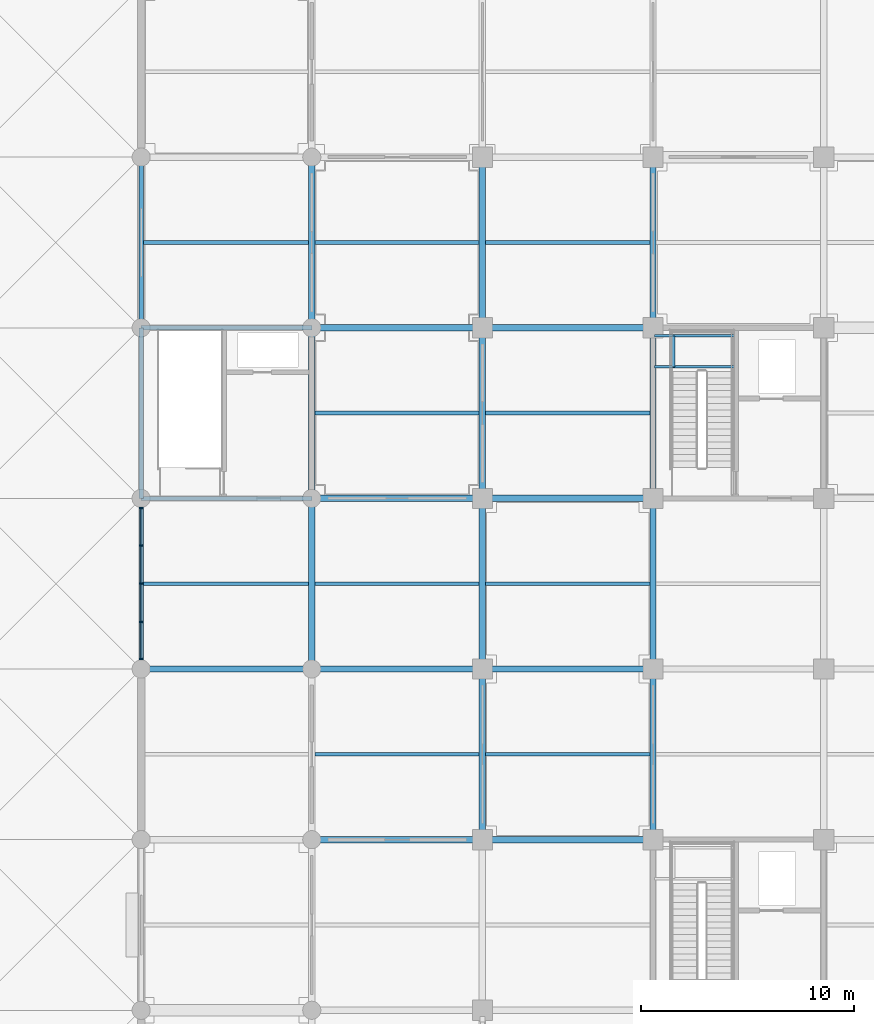
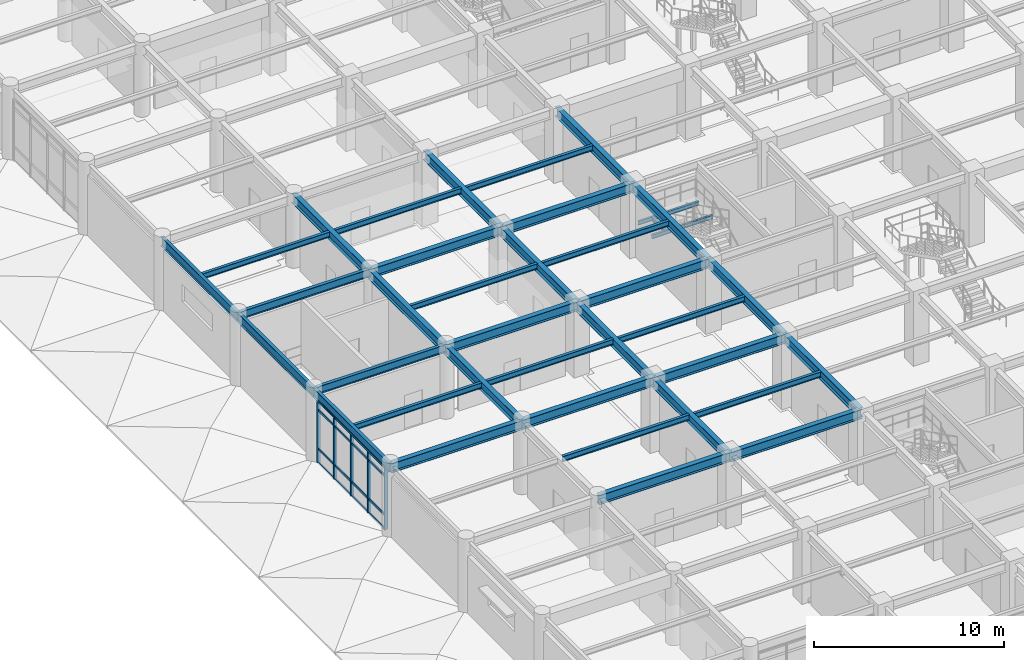
# One storey, part 15 of 109: 38 beams, 21 members, 1 element without a shape of its own.
"""IFC4 building model written with IfcOpenShell, lengths in metres."""

import ifcopenshell
import ifcopenshell.guid

model = None  # the IFC model being written
_history = None  # IfcOwnerHistory: only IFC2X3 demands one
_inside = {}  # id of a spatial element -> (the spatial element, [elements in it])
_under = {}  # id of a project, library or spatial element -> (it, [spatial elements below it])
_declared = {}  # id of a project -> (the project, [libraries it declares])
_typed = {}  # id of a type object -> (the type object, [elements of that type])
_made_of = {}  # id of a material, layer set ... -> (it, [elements and type objects made of it])


def new_model(schema):
    """Start an empty IFC model of exactly this schema.

    Asked for "IFC4X3", IfcOpenShell would pick the latest addendum, in which some entities
    have other attributes; the version numbers below select the first issue.
    IFC2X3 requires an IfcOwnerHistory on every rooted entity: one is made here for all.
    """
    global model, _history
    if schema == "IFC4X3":
        model = ifcopenshell.file(schema_version=(4, 3, 0, 0))
    else:
        model = ifcopenshell.file(schema=schema)
    _inside.clear()
    _under.clear()
    _declared.clear()
    _typed.clear()
    _made_of.clear()
    _history = None
    if model.schema == "IFC2X3":
        org = make("IfcOrganization", Name="unknown")
        user = make(
            "IfcPersonAndOrganization",
            ThePerson=make("IfcPerson", FamilyName="unknown"),
            TheOrganization=org,
        )
        app = make(
            "IfcApplication",
            ApplicationDeveloper=org,
            Version="unknown",
            ApplicationFullName="unknown",
            ApplicationIdentifier="unknown",
        )
        _history = make(
            "IfcOwnerHistory",
            OwningUser=user,
            OwningApplication=app,
            ChangeAction="ADDED",
            CreationDate=0,
        )
    return model


def make(cls, **values):
    """One entity of the class cls with the attributes given. An attribute that is None is left unset."""
    return model.create_entity(
        cls, **{name: value for name, value in values.items() if value is not None}
    )


def rooted(cls, **values):
    """An entity with a GlobalId (a new one), such as an element, a storey or a relation."""
    return make(cls, GlobalId=ifcopenshell.guid.new(), OwnerHistory=_history, **values)


def si_unit(unit_type, name, prefix=None):
    """IfcSIUnit, for example si_unit("LENGTHUNIT", "METRE", prefix="MILLI")."""
    return make("IfcSIUnit", UnitType=unit_type, Prefix=prefix, Name=name)


def assignment(units):
    """IfcUnitAssignment: the units of a project."""
    return None if units is None else make("IfcUnitAssignment", Units=units)


def point(xyz):
    """IfcCartesianPoint."""
    return None if xyz is None else make("IfcCartesianPoint", Coordinates=xyz)


def direction(xyz):
    """IfcDirection."""
    return None if xyz is None else make("IfcDirection", DirectionRatios=xyz)


def frame(location, z_axis=None, x_axis=None):
    """IfcAxis2Placement3D, a coordinate frame: its origin and axes. An axis left out is left unset."""
    return make(
        "IfcAxis2Placement3D",
        Location=point(location),
        Axis=direction(z_axis),
        RefDirection=direction(x_axis),
    )


def frame_2d(location, x_axis=None):
    """IfcAxis2Placement2D, a coordinate frame in the plane: its origin and x axis."""
    return make(
        "IfcAxis2Placement2D", Location=point(location), RefDirection=direction(x_axis)
    )


def origin():
    """The frame at (0, 0, 0) with its axes left unset."""
    return frame((0.0, 0.0, 0.0))


def origin_2d():
    """The frame at (0, 0) in the plane with its x axis left unset."""
    return frame_2d((0.0, 0.0))


def place(relative_to, where):
    """IfcLocalPlacement: puts the frame where relative to a parent placement (None: the world)."""
    return make(
        "IfcLocalPlacement", PlacementRelTo=relative_to, RelativePlacement=where
    )


def context(
    kind, dimensions, precision=None, world=None, true_north=None, identifier=None
):
    """IfcGeometricRepresentationContext, for example the 3D "Model" context."""
    return make(
        "IfcGeometricRepresentationContext",
        ContextIdentifier=identifier,
        ContextType=kind,
        CoordinateSpaceDimension=dimensions,
        Precision=precision,
        WorldCoordinateSystem=world,
        TrueNorth=true_north,
    )


def subcontext(parent, identifier, kind, view, scale=None):
    """IfcGeometricRepresentationSubContext, for example "Body" below "Model"."""
    return make(
        "IfcGeometricRepresentationSubContext",
        ContextIdentifier=identifier,
        ContextType=kind,
        ParentContext=parent,
        TargetScale=scale,
        TargetView=view,
    )


def project(units=None, contexts=None):
    """IfcProject with its units and contexts."""
    return rooted(
        "IfcProject",
        Name="project",
        RepresentationContexts=contexts,
        UnitsInContext=assignment(units),
    )


def spatial(cls, under=None, at=None, **own):
    """A site, building, storey or space (cls), placed at a placement, below another one or the project."""
    s = rooted(cls, ObjectPlacement=at, **own)
    if under is not None:
        _under.setdefault(under.id(), (under, []))[1].append(s)
    return s


def profile(cls, at=None, kind="AREA", **sizes):
    """A parametric profile (cls). Its sizes go by their IFC names, for example OverallWidth=200.0."""
    return make(cls, ProfileType=kind, Position=at, **sizes)


def rectangle(**sizes):
    """IfcRectangleProfileDef."""
    return profile("IfcRectangleProfileDef", **sizes)


def i_section(**sizes):
    """IfcIShapeProfileDef."""
    return profile("IfcIShapeProfileDef", **sizes)


def extrude(swept, where, along, depth):
    """IfcExtrudedAreaSolid: the profile swept, set in the frame where, extruded along a direction by depth."""
    return make(
        "IfcExtrudedAreaSolid",
        SweptArea=swept,
        Position=where,
        ExtrudedDirection=direction(along),
        Depth=depth,
    )


def shape(context_of_items, identifier, shape_type, items):
    """IfcShapeRepresentation: the items that make up one representation, for example the "Body"."""
    return make(
        "IfcShapeRepresentation",
        ContextOfItems=context_of_items,
        RepresentationIdentifier=identifier,
        RepresentationType=shape_type,
        Items=items,
    )


def material(Name=None, Category=None):
    """IfcMaterial."""
    return make("IfcMaterial", Name=Name, Category=Category)


def layer(
    of_material, thickness, ventilated=None, Name=None, Category=None, Priority=None
):
    """IfcMaterialLayer: one layer of a wall or slab, of a material (None: an air gap)."""
    return make(
        "IfcMaterialLayer",
        Material=of_material,
        LayerThickness=thickness,
        IsVentilated=ventilated,
        Name=Name,
        Category=Category,
        Priority=Priority,
    )


def layer_set(layers, Name=None):
    """IfcMaterialLayerSet."""
    return make("IfcMaterialLayerSet", MaterialLayers=layers, LayerSetName=Name)


def material_profile(
    of_material, cross_section, Name=None, Category=None, Priority=None
):
    """IfcMaterialProfile: a cross section and its material."""
    return make(
        "IfcMaterialProfile",
        Name=Name,
        Material=of_material,
        Profile=cross_section,
        Priority=Priority,
        Category=Category,
    )


def profile_set(profiles, Name=None, composite=None):
    """IfcMaterialProfileSet."""
    return make(
        "IfcMaterialProfileSet",
        Name=Name,
        MaterialProfiles=profiles,
        CompositeProfile=composite,
    )


def made_of(thing, what):
    """Note that an element or type object is made of a material, layer set ...; save() writes the relation."""
    if what is not None:
        _made_of.setdefault(what.id(), (what, []))[1].append(thing)
    return thing


def type_object(cls, material=None, **own):
    """A type object (cls), such as IfcWallType, which elements share."""
    return made_of(rooted(cls, **own), material)


def element(
    cls,
    number,
    at=None,
    inside=None,
    cuts=None,
    type_object=None,
    material=None,
    context=None,
    identifier="Body",
    shape_type=None,
    held_by="IfcProductDefinitionShape",
    body=None,
    shapes=None,
    **own,
):
    """One element of the class cls, such as IfcWall. Its Tag is "e" and its number.

    at: its placement. inside: the storey or other place that contains it. cuts: it is an
    opening in that element (IfcRelVoidsElement). A single representation is given by context,
    identifier, shape_type and body (its items); several are given by shapes. held_by: the class
    of the entity that holds the representations. save() writes the other relations.
    """
    e = rooted(cls, Tag="e%d" % number, ObjectPlacement=at, **own)
    if body is not None:
        shapes = [shape(context, identifier, shape_type, body)]
    if shapes is not None:
        e.Representation = make(held_by, Representations=shapes)
    if inside is not None:
        _inside.setdefault(inside.id(), (inside, []))[1].append(e)
    if cuts is not None:
        rooted(
            "IfcRelVoidsElement", RelatingBuildingElement=cuts, RelatedOpeningElement=e
        )
    if type_object is not None:
        _typed.setdefault(type_object.id(), (type_object, []))[1].append(e)
    return made_of(e, material)


def aggregate(whole, parts):
    """IfcRelAggregates: a whole, such as a stair, and the parts it consists of."""
    return rooted("IfcRelAggregates", RelatingObject=whole, RelatedObjects=parts)


def save(model, path):
    """Write the relations noted so far, then the file.

    IfcRelAggregates (storeys below a building ...), IfcRelContainedInSpatialStructure (elements
    in a storey), IfcRelDefinesByType, IfcRelAssociatesMaterial and IfcRelDeclares: one each for
    every whole, place, type object, material and project.
    """
    for whole, parts in _under.values():
        aggregate(whole, parts)
    for where, things in _inside.values():
        rooted(
            "IfcRelContainedInSpatialStructure",
            RelatedElements=things,
            RelatingStructure=where,
        )
    for kind, things in _typed.values():
        rooted("IfcRelDefinesByType", RelatedObjects=things, RelatingType=kind)
    for what, things in _made_of.values():
        rooted("IfcRelAssociatesMaterial", RelatedObjects=things, RelatingMaterial=what)
    for by, libraries in _declared.values():
        rooted("IfcRelDeclares", RelatingContext=by, RelatedDefinitions=libraries)
    model.write(path)


model = new_model("IFC4")

# Units and contexts
model_context = context("Model", 3, precision=1e-05, world=origin(), true_north=direction((0.0, 1.0)))
body_context = subcontext(model_context, "Body", "Model", "MODEL_VIEW")
ifc_project = project(units=[si_unit("LENGTHUNIT", "METRE"), si_unit("AREAUNIT", "SQUARE_METRE"), si_unit("VOLUMEUNIT", "CUBIC_METRE"), si_unit("PLANEANGLEUNIT", "RADIAN"), si_unit("MASSUNIT", "GRAM", prefix="KILO")], contexts=[model_context])

# Site, building, storey
site_placement = place(None, origin())
site = spatial("IfcSite", under=ifc_project, at=site_placement, CompositionType="ELEMENT")
building_placement = place(site_placement, origin())
building = spatial("IfcBuilding", under=site, at=building_placement, Name="Haebicheon Civic Stadium", CompositionType="ELEMENT")
storey_placement = place(building_placement, frame((0.0, 0.0, 9.60009765625)))
storey = spatial("IfcBuildingStorey", under=building, at=storey_placement, Name="L03", CompositionType="ELEMENT", Elevation=9.60009765625)

# Beams
ifc_material_1 = material(Name="Steel SM355 (S355)", Category="steel")
ifc_material_profile_1 = material_profile(ifc_material_1, i_section(OverallWidth=0.199951171875, OverallDepth=0.5, WebThickness=0.010009765625, FlangeThickness=0.01611328125, at=origin_2d()), Name="H-500x200x10x16")
ifc_profile_set_1 = profile_set([ifc_material_profile_1], Name="Steel SM355 (S355)")
beam_type_1 = type_object("IfcBeamType", Name="BM-ST-H500", PredefinedType="BEAM", material=ifc_profile_set_1)
for number, where, z_axis, x_axis, name in (
    (1, (8.0, 80.0, 4.329833984375), (1.0, 0.0, 0.0), (0.0, 1.0, 0.0), "L03 beam L/2-3"),
    (2, (8.0, 88.0, 4.329833984375), (1.0, 0.0, 0.0), (0.0, 1.0, 0.0), "L03 beam M/2-3"),
):
    element("IfcBeam", number, at=place(storey_placement, frame(where, z_axis=z_axis, x_axis=x_axis)), inside=storey, type_object=beam_type_1, material=ifc_profile_set_1, Name=name, PredefinedType="BEAM", context=body_context, shape_type="SweptSolid", body=[
        extrude(i_section(OverallWidth=0.199951171875, OverallDepth=0.5, WebThickness=0.010009765625, FlangeThickness=0.01611328125, at=origin_2d()), origin(), (0.0, 0.0, 1.0), 8.0),
    ])
ifc_material_2 = material(Name="Steel SM355 (S355)", Category="steel")
ifc_material_profile_2 = material_profile(ifc_material_2, i_section(OverallWidth=0.300048828125, OverallDepth=0.60009765625, WebThickness=0.011962890625, FlangeThickness=0.02001953125, at=origin_2d()), Name="H-600x300x12x20")
ifc_profile_set_2 = profile_set([ifc_material_profile_2], Name="Steel SM355 (S355)")
beam_type_2 = type_object("IfcBeamType", Name="BM-ST-H600A", PredefinedType="BEAM", material=ifc_profile_set_2)
for number, where, z_axis, x_axis, name in (
    (3, (16.0, 72.0, 4.27978515625), (0.0, 1.0, 0.0), (-1.0, 0.0, 0.0), "L03 girder 3/K-L"),
    (4, (16.0, 80.0, 4.27978515625), (0.0, 1.0, 0.0), (-1.0, 0.0, 0.0), "L03 girder 3/L-M"),
    (5, (16.0, 88.0, 4.27978515625), (0.0, 1.0, 0.0), (-1.0, 0.0, 0.0), "L03 girder 3/M-N"),
    (6, (24.0, 64.0, 4.239990234375), (0.0, 1.0, 0.0), (-1.0, 0.0, 0.0), "L03 girder 4/J-K"),
    (7, (24.0, 72.0, 4.239990234375), (0.0, 1.0, 0.0), (-1.0, 0.0, 0.0), "L03 girder 4/K-L"),
    (8, (24.0, 80.0, 4.239990234375), (0.0, 1.0, 0.0), (-1.0, 0.0, 0.0), "L03 girder 4/L-M"),
    (9, (24.0, 88.0, 4.239990234375), (0.0, 1.0, 0.0), (-1.0, 0.0, 0.0), "L03 girder 4/M-N"),
    (10, (32.0, 64.0, 4.239990234375), (0.0, 1.0, 0.0), (-1.0, 0.0, 0.0), "L03 girder 5/J-K"),
    (11, (32.0, 72.0, 4.239990234375), (0.0, 1.0, 0.0), (-1.0, 0.0, 0.0), "L03 girder 5/K-L"),
    (12, (32.0, 80.0, 4.239990234375), (0.0, 1.0, 0.0), (-1.0, 0.0, 0.0), "L03 girder 5/L-M"),
    (13, (32.0, 88.0, 4.239990234375), (0.0, 1.0, 0.0), (-1.0, 0.0, 0.0), "L03 girder 5/M-N"),
    (14, (8.0, 72.0, 4.27978515625), (1.0, 0.0, 0.0), (0.0, 1.0, 0.0), "L03 beam K/2-3"),
    (15, (16.0, 64.0, 4.27978515625), (1.0, 0.0, 0.0), (0.0, 1.0, 0.0), "L03 beam J/3-4"),
    (16, (16.0, 72.0, 4.27978515625), (1.0, 0.0, 0.0), (0.0, 1.0, 0.0), "L03 beam K/3-4"),
    (17, (16.0, 80.0, 4.27978515625), (1.0, 0.0, 0.0), (0.0, 1.0, 0.0), "L03 beam L/3-4"),
    (18, (16.0, 88.0, 4.27978515625), (1.0, 0.0, 0.0), (0.0, 1.0, 0.0), "L03 beam M/3-4"),
    (19, (24.0, 64.0, 4.239990234375), (1.0, 0.0, 0.0), (0.0, 1.0, 0.0), "L03 beam J/4-5"),
    (20, (24.0, 72.0, 4.239990234375), (1.0, 0.0, 0.0), (0.0, 1.0, 0.0), "L03 beam K/4-5"),
    (21, (24.0, 80.0, 4.239990234375), (1.0, 0.0, 0.0), (0.0, 1.0, 0.0), "L03 beam L/4-5"),
    (22, (24.0, 88.0, 4.239990234375), (1.0, 0.0, 0.0), (0.0, 1.0, 0.0), "L03 beam M/4-5"),
):
    element("IfcBeam", number, at=place(storey_placement, frame(where, z_axis=z_axis, x_axis=x_axis)), inside=storey, type_object=beam_type_2, material=ifc_profile_set_2, Name=name, PredefinedType="BEAM", context=body_context, shape_type="SweptSolid", body=[
        extrude(i_section(OverallWidth=0.300048828125, OverallDepth=0.60009765625, WebThickness=0.011962890625, FlangeThickness=0.02001953125, at=origin_2d()), origin(), (0.0, 0.0, 1.0), 8.0),
    ])

# Curtain wall, members
ifc_material_3 = material(Name="Anodised aluminium and laminated glass", Category="aluminium")
ifc_layer = layer(ifc_material_3, 0.179931640625, Name="Anodised aluminium and laminated glass")
ifc_layer_set = layer_set([ifc_layer], Name="Anodised aluminium and laminated glass")
curtain_wall_type = type_object("IfcCurtainWallType", Name="CW-7150x3950", PredefinedType="NOTDEFINED", material=ifc_layer_set)
curtain_wall_placement = place(storey_placement, origin())
curtain_wall = element("IfcCurtainWall", 23, at=curtain_wall_placement, inside=storey, type_object=curtain_wall_type, material=ifc_layer_set, Name="L03 unitised curtain wall 069", PredefinedType="NOTDEFINED")
ifc_material_4 = material(Name="Anodised aluminium 6063-T6", Category="aluminium")
ifc_material_profile_3 = material_profile(ifc_material_4, rectangle(XDim=0.070068359375, YDim=0.199951171875, at=origin_2d()), Name="ALU-MULL-70x200")
ifc_profile_set_3 = profile_set([ifc_material_profile_3], Name="Anodised aluminium 6063-T6")
member_type_1 = type_object("IfcMemberType", Name="CWM-200x70", PredefinedType="MULLION", material=ifc_profile_set_3)
member_1_placement = place(storey_placement, frame((8.0, 72.4599609375, 0.0), z_axis=(0.0, 0.0, 1.0), x_axis=(0.0, 1.0, 0.0)))
member_1 = element("IfcMember", 24, at=member_1_placement, type_object=member_type_1, material=ifc_profile_set_3, Name="CW-L03-069 vertical mullion 1", PredefinedType="MULLION", context=body_context, shape_type="SweptSolid", body=[
    extrude(rectangle(XDim=0.070068359375, YDim=0.199951171875, at=origin_2d()), origin(), (0.0, 0.0, 1.0), 3.949951171875),
])
member_2_placement = place(storey_placement, frame((8.0, 74.212890625, 0.0), z_axis=(0.0, 0.0, 1.0), x_axis=(0.0, 1.0, 0.0)))
member_2 = element("IfcMember", 25, at=member_2_placement, type_object=member_type_1, material=ifc_profile_set_3, Name="CW-L03-069 vertical mullion 2", PredefinedType="MULLION", context=body_context, shape_type="SweptSolid", body=[
    extrude(rectangle(XDim=0.070068359375, YDim=0.199951171875, at=origin_2d()), origin(), (0.0, 0.0, 1.0), 3.949951171875),
])
member_3_placement = place(storey_placement, frame((8.0, 76.0, 0.0), z_axis=(0.0, 0.0, 1.0), x_axis=(0.0, 1.0, 0.0)))
member_3 = element("IfcMember", 26, at=member_3_placement, type_object=member_type_1, material=ifc_profile_set_3, Name="CW-L03-069 vertical mullion 3", PredefinedType="MULLION", context=body_context, shape_type="SweptSolid", body=[
    extrude(rectangle(XDim=0.070068359375, YDim=0.199951171875, at=origin_2d()), origin(), (0.0, 0.0, 1.0), 3.949951171875),
])
member_4_placement = place(storey_placement, frame((8.0, 77.7880859375, 0.0), z_axis=(0.0, 0.0, 1.0), x_axis=(0.0, 1.0, 0.0)))
member_4 = element("IfcMember", 27, at=member_4_placement, type_object=member_type_1, material=ifc_profile_set_3, Name="CW-L03-069 vertical mullion 4", PredefinedType="MULLION", context=body_context, shape_type="SweptSolid", body=[
    extrude(rectangle(XDim=0.070068359375, YDim=0.199951171875, at=origin_2d()), origin(), (0.0, 0.0, 1.0), 3.949951171875),
])
member_5_placement = place(storey_placement, frame((8.0, 79.5400390625, 0.0), z_axis=(0.0, 0.0, 1.0), x_axis=(0.0, 1.0, 0.0)))
member_5 = element("IfcMember", 28, at=member_5_placement, type_object=member_type_1, material=ifc_profile_set_3, Name="CW-L03-069 vertical mullion 5", PredefinedType="MULLION", context=body_context, shape_type="SweptSolid", body=[
    extrude(rectangle(XDim=0.070068359375, YDim=0.199951171875, at=origin_2d()), origin(), (0.0, 0.0, 1.0), 3.949951171875),
])
ifc_material_5 = material(Name="Anodised aluminium 6063-T6", Category="aluminium")
ifc_material_profile_4 = material_profile(ifc_material_5, rectangle(XDim=0.070068359375, YDim=0.14990234375, at=origin_2d()), Name="ALU-TRAN-70x150")
ifc_profile_set_4 = profile_set([ifc_material_profile_4], Name="Anodised aluminium 6063-T6")
member_type_2 = type_object("IfcMemberType", Name="CWT-150x70", PredefinedType="NOTDEFINED", material=ifc_profile_set_4)
member_6_placement = place(storey_placement, frame((8.0, 72.4951171875, 0.0), z_axis=(0.0, 1.0, 0.0), x_axis=(-1.0, 0.0, 0.0)))
member_6 = element("IfcMember", 29, at=member_6_placement, type_object=member_type_2, material=ifc_profile_set_4, Name="CW-L03-069 horizontal transom 1.1", ObjectType="TRANSOM", PredefinedType="USERDEFINED", context=body_context, shape_type="SweptSolid", body=[
    extrude(rectangle(XDim=0.070068359375, YDim=0.14990234375, at=origin_2d()), origin(), (0.0, 0.0, 1.0), 1.682861328125),
])
member_7_placement = place(storey_placement, frame((8.0, 72.4951171875, 0.89990234375), z_axis=(0.0, 1.0, 0.0), x_axis=(-1.0, 0.0, 0.0)))
member_7 = element("IfcMember", 30, at=member_7_placement, type_object=member_type_2, material=ifc_profile_set_4, Name="CW-L03-069 horizontal transom 1.2", ObjectType="TRANSOM", PredefinedType="USERDEFINED", context=body_context, shape_type="SweptSolid", body=[
    extrude(rectangle(XDim=0.070068359375, YDim=0.14990234375, at=origin_2d()), origin(), (0.0, 0.0, 1.0), 1.682861328125),
])
member_8_placement = place(storey_placement, frame((8.0, 72.4951171875, 3.39990234375), z_axis=(0.0, 1.0, 0.0), x_axis=(-1.0, 0.0, 0.0)))
member_8 = element("IfcMember", 31, at=member_8_placement, type_object=member_type_2, material=ifc_profile_set_4, Name="CW-L03-069 horizontal transom 1.3", ObjectType="TRANSOM", PredefinedType="USERDEFINED", context=body_context, shape_type="SweptSolid", body=[
    extrude(rectangle(XDim=0.070068359375, YDim=0.14990234375, at=origin_2d()), origin(), (0.0, 0.0, 1.0), 1.682861328125),
])
member_9_placement = place(storey_placement, frame((8.0, 72.4951171875, 3.949951171875), z_axis=(0.0, 1.0, 0.0), x_axis=(-1.0, 0.0, 0.0)))
member_9 = element("IfcMember", 32, at=member_9_placement, type_object=member_type_2, material=ifc_profile_set_4, Name="CW-L03-069 horizontal transom 1.4", ObjectType="TRANSOM", PredefinedType="USERDEFINED", context=body_context, shape_type="SweptSolid", body=[
    extrude(rectangle(XDim=0.070068359375, YDim=0.14990234375, at=origin_2d()), origin(), (0.0, 0.0, 1.0), 1.682861328125),
])
member_10_placement = place(storey_placement, frame((8.0, 74.248046875, 0.0), z_axis=(0.0, 1.0, 0.0), x_axis=(-1.0, 0.0, 0.0)))
member_10 = element("IfcMember", 33, at=member_10_placement, type_object=member_type_2, material=ifc_profile_set_4, Name="CW-L03-069 horizontal transom 2.1", ObjectType="TRANSOM", PredefinedType="USERDEFINED", context=body_context, shape_type="SweptSolid", body=[
    extrude(rectangle(XDim=0.070068359375, YDim=0.14990234375, at=origin_2d()), origin(), (0.0, 0.0, 1.0), 1.717041015625),
])
member_11_placement = place(storey_placement, frame((8.0, 74.248046875, 0.89990234375), z_axis=(0.0, 1.0, 0.0), x_axis=(-1.0, 0.0, 0.0)))
member_11 = element("IfcMember", 34, at=member_11_placement, type_object=member_type_2, material=ifc_profile_set_4, Name="CW-L03-069 horizontal transom 2.2", ObjectType="TRANSOM", PredefinedType="USERDEFINED", context=body_context, shape_type="SweptSolid", body=[
    extrude(rectangle(XDim=0.070068359375, YDim=0.14990234375, at=origin_2d()), origin(), (0.0, 0.0, 1.0), 1.717041015625),
])
member_12_placement = place(storey_placement, frame((8.0, 74.248046875, 3.39990234375), z_axis=(0.0, 1.0, 0.0), x_axis=(-1.0, 0.0, 0.0)))
member_12 = element("IfcMember", 35, at=member_12_placement, type_object=member_type_2, material=ifc_profile_set_4, Name="CW-L03-069 horizontal transom 2.3", ObjectType="TRANSOM", PredefinedType="USERDEFINED", context=body_context, shape_type="SweptSolid", body=[
    extrude(rectangle(XDim=0.070068359375, YDim=0.14990234375, at=origin_2d()), origin(), (0.0, 0.0, 1.0), 1.717041015625),
])
member_13_placement = place(storey_placement, frame((8.0, 74.248046875, 3.949951171875), z_axis=(0.0, 1.0, 0.0), x_axis=(-1.0, 0.0, 0.0)))
member_13 = element("IfcMember", 36, at=member_13_placement, type_object=member_type_2, material=ifc_profile_set_4, Name="CW-L03-069 horizontal transom 2.4", ObjectType="TRANSOM", PredefinedType="USERDEFINED", context=body_context, shape_type="SweptSolid", body=[
    extrude(rectangle(XDim=0.070068359375, YDim=0.14990234375, at=origin_2d()), origin(), (0.0, 0.0, 1.0), 1.717041015625),
])
member_14_placement = place(storey_placement, frame((8.0, 76.034912109375, 0.0), z_axis=(0.0, 1.0, 0.0), x_axis=(-1.0, 0.0, 0.0)))
member_14 = element("IfcMember", 37, at=member_14_placement, type_object=member_type_2, material=ifc_profile_set_4, Name="CW-L03-069 horizontal transom 3.1", ObjectType="TRANSOM", PredefinedType="USERDEFINED", context=body_context, shape_type="SweptSolid", body=[
    extrude(rectangle(XDim=0.070068359375, YDim=0.14990234375, at=origin_2d()), origin(), (0.0, 0.0, 1.0), 1.718017578125),
])
member_15_placement = place(storey_placement, frame((8.0, 76.034912109375, 0.89990234375), z_axis=(0.0, 1.0, 0.0), x_axis=(-1.0, 0.0, 0.0)))
member_15 = element("IfcMember", 38, at=member_15_placement, type_object=member_type_2, material=ifc_profile_set_4, Name="CW-L03-069 horizontal transom 3.2", ObjectType="TRANSOM", PredefinedType="USERDEFINED", context=body_context, shape_type="SweptSolid", body=[
    extrude(rectangle(XDim=0.070068359375, YDim=0.14990234375, at=origin_2d()), origin(), (0.0, 0.0, 1.0), 1.718017578125),
])
member_16_placement = place(storey_placement, frame((8.0, 76.034912109375, 3.39990234375), z_axis=(0.0, 1.0, 0.0), x_axis=(-1.0, 0.0, 0.0)))
member_16 = element("IfcMember", 39, at=member_16_placement, type_object=member_type_2, material=ifc_profile_set_4, Name="CW-L03-069 horizontal transom 3.3", ObjectType="TRANSOM", PredefinedType="USERDEFINED", context=body_context, shape_type="SweptSolid", body=[
    extrude(rectangle(XDim=0.070068359375, YDim=0.14990234375, at=origin_2d()), origin(), (0.0, 0.0, 1.0), 1.718017578125),
])
member_17_placement = place(storey_placement, frame((8.0, 76.034912109375, 3.949951171875), z_axis=(0.0, 1.0, 0.0), x_axis=(-1.0, 0.0, 0.0)))
member_17 = element("IfcMember", 40, at=member_17_placement, type_object=member_type_2, material=ifc_profile_set_4, Name="CW-L03-069 horizontal transom 3.4", ObjectType="TRANSOM", PredefinedType="USERDEFINED", context=body_context, shape_type="SweptSolid", body=[
    extrude(rectangle(XDim=0.070068359375, YDim=0.14990234375, at=origin_2d()), origin(), (0.0, 0.0, 1.0), 1.718017578125),
])
member_18_placement = place(storey_placement, frame((8.0, 77.822998046875, 0.0), z_axis=(0.0, 1.0, 0.0), x_axis=(-1.0, 0.0, 0.0)))
member_18 = element("IfcMember", 41, at=member_18_placement, type_object=member_type_2, material=ifc_profile_set_4, Name="CW-L03-069 horizontal transom 4.1", ObjectType="TRANSOM", PredefinedType="USERDEFINED", context=body_context, shape_type="SweptSolid", body=[
    extrude(rectangle(XDim=0.070068359375, YDim=0.14990234375, at=origin_2d()), origin(), (0.0, 0.0, 1.0), 1.681884765625),
])
member_19_placement = place(storey_placement, frame((8.0, 77.822998046875, 0.89990234375), z_axis=(0.0, 1.0, 0.0), x_axis=(-1.0, 0.0, 0.0)))
member_19 = element("IfcMember", 42, at=member_19_placement, type_object=member_type_2, material=ifc_profile_set_4, Name="CW-L03-069 horizontal transom 4.2", ObjectType="TRANSOM", PredefinedType="USERDEFINED", context=body_context, shape_type="SweptSolid", body=[
    extrude(rectangle(XDim=0.070068359375, YDim=0.14990234375, at=origin_2d()), origin(), (0.0, 0.0, 1.0), 1.681884765625),
])
member_20_placement = place(storey_placement, frame((8.0, 77.822998046875, 3.39990234375), z_axis=(0.0, 1.0, 0.0), x_axis=(-1.0, 0.0, 0.0)))
member_20 = element("IfcMember", 43, at=member_20_placement, type_object=member_type_2, material=ifc_profile_set_4, Name="CW-L03-069 horizontal transom 4.3", ObjectType="TRANSOM", PredefinedType="USERDEFINED", context=body_context, shape_type="SweptSolid", body=[
    extrude(rectangle(XDim=0.070068359375, YDim=0.14990234375, at=origin_2d()), origin(), (0.0, 0.0, 1.0), 1.681884765625),
])
member_21_placement = place(storey_placement, frame((8.0, 77.822998046875, 3.949951171875), z_axis=(0.0, 1.0, 0.0), x_axis=(-1.0, 0.0, 0.0)))
member_21 = element("IfcMember", 44, at=member_21_placement, type_object=member_type_2, material=ifc_profile_set_4, Name="CW-L03-069 horizontal transom 4.4", ObjectType="TRANSOM", PredefinedType="USERDEFINED", context=body_context, shape_type="SweptSolid", body=[
    extrude(rectangle(XDim=0.070068359375, YDim=0.14990234375, at=origin_2d()), origin(), (0.0, 0.0, 1.0), 1.681884765625),
])
aggregate(curtain_wall, [member_1, member_2, member_3, member_4, member_5, member_6, member_7, member_8, member_9, member_10, member_11, member_12, member_13, member_14, member_15, member_16, member_17, member_18, member_19, member_20, member_21])

# Beams
ifc_material_6 = material(Name="Steel SM355 (S355)", Category="steel")
ifc_material_profile_5 = material_profile(ifc_material_6, i_section(OverallWidth=0.125, OverallDepth=0.25, WebThickness=0.006103515625, FlangeThickness=0.009033203125, at=origin_2d()), Name="H-250x125x6x9")
ifc_profile_set_5 = profile_set([ifc_material_profile_5], Name="Steel SM355 (S355)")
beam_type_3 = type_object("IfcBeamType", Name="JST-ST-H250", PredefinedType="JOIST", material=ifc_profile_set_5)
for number, where, z_axis, x_axis, name in (
    (45, (32.080078125, 86.169921875, 2.072021484375), (1.0, 0.0, 0.0), (0.0, 1.0, 0.0), "KC-03 L03 stair half-landing front trimmer beam"),
    (46, (32.080078125, 87.6201171875, 2.072021484375), (1.0, 0.0, 0.0), (0.0, 1.0, 0.0), "KC-03 L03 stair half-landing rear trimmer beam"),
):
    element("IfcBeam", number, at=place(storey_placement, frame(where, z_axis=z_axis, x_axis=x_axis)), inside=storey, type_object=beam_type_3, material=ifc_profile_set_5, Name=name, PredefinedType="JOIST", context=body_context, shape_type="SweptSolid", body=[
        extrude(i_section(OverallWidth=0.125, OverallDepth=0.25, WebThickness=0.006103515625, FlangeThickness=0.009033203125, at=origin_2d()), origin(), (0.0, 0.0, 1.0), 3.719970703125),
    ])
beam_placement = place(storey_placement, frame((32.9599609375, 86.169921875, 2.072021484375), z_axis=(0.0, 1.0, 0.0), x_axis=(-1.0, 0.0, 0.0)))
element("IfcBeam", 47, at=beam_placement, inside=storey, type_object=beam_type_3, material=ifc_profile_set_5, Name="KC-03 L03 stair half-landing transverse tie beam", PredefinedType="JOIST", context=body_context, shape_type="SweptSolid", body=[
    extrude(i_section(OverallWidth=0.125, OverallDepth=0.25, WebThickness=0.006103515625, FlangeThickness=0.009033203125, at=origin_2d()), origin(), (0.0, 0.0, 1.0), 1.4501953125),
])
ifc_material_7 = material(Name="Steel SM355 (S355)", Category="steel")
ifc_material_profile_6 = material_profile(ifc_material_7, i_section(OverallWidth=0.175048828125, OverallDepth=0.35009765625, WebThickness=0.007080078125, FlangeThickness=0.010986328125, at=origin_2d()), Name="H-350x175x7x11")
ifc_profile_set_6 = profile_set([ifc_material_profile_6], Name="Steel SM355 (S355)")
beam_type_4 = type_object("IfcBeamType", Name="JST-ST-H350", PredefinedType="JOIST", material=ifc_profile_set_6)
for number, where, z_axis, x_axis, name in (
    (48, (8.10009765625, 76.0, 4.40478515625), (1.0, 0.0, 0.0), (0.0, 1.0, 0.0), "L03 secondary joist 01-09"),
    (49, (8.10009765625, 92.0, 4.40478515625), (1.0, 0.0, 0.0), (0.0, 1.0, 0.0), "L03 secondary joist 01-11"),
):
    element("IfcBeam", number, at=place(storey_placement, frame(where, z_axis=z_axis, x_axis=x_axis)), inside=storey, type_object=beam_type_4, material=ifc_profile_set_6, Name=name, PredefinedType="JOIST", context=body_context, shape_type="SweptSolid", body=[
        extrude(i_section(OverallWidth=0.175048828125, OverallDepth=0.35009765625, WebThickness=0.007080078125, FlangeThickness=0.010986328125, at=origin_2d()), origin(), (0.0, 0.0, 1.0), 7.75),
    ])
for number, where, z_axis, x_axis, name in (
    (50, (16.14990234375, 68.0, 4.40478515625), (1.0, 0.0, 0.0), (0.0, 1.0, 0.0), "L03 secondary joist 02-08"),
    (51, (16.14990234375, 76.0, 4.40478515625), (1.0, 0.0, 0.0), (0.0, 1.0, 0.0), "L03 secondary joist 02-09"),
    (52, (16.14990234375, 84.0, 4.40478515625), (1.0, 0.0, 0.0), (0.0, 1.0, 0.0), "L03 secondary joist 02-10"),
    (53, (16.14990234375, 92.0, 4.40478515625), (1.0, 0.0, 0.0), (0.0, 1.0, 0.0), "L03 secondary joist 02-11"),
    (54, (24.14990234375, 68.0, 4.364990234375), (1.0, 0.0, 0.0), (0.0, 1.0, 0.0), "L03 secondary joist 03-08"),
    (55, (24.14990234375, 76.0, 4.364990234375), (1.0, 0.0, 0.0), (0.0, 1.0, 0.0), "L03 secondary joist 03-09"),
    (56, (24.14990234375, 84.0, 4.364990234375), (1.0, 0.0, 0.0), (0.0, 1.0, 0.0), "L03 secondary joist 03-10"),
    (57, (24.14990234375, 92.0, 4.364990234375), (1.0, 0.0, 0.0), (0.0, 1.0, 0.0), "L03 secondary joist 03-11"),
):
    element("IfcBeam", number, at=place(storey_placement, frame(where, z_axis=z_axis, x_axis=x_axis)), inside=storey, type_object=beam_type_4, material=ifc_profile_set_6, Name=name, PredefinedType="JOIST", context=body_context, shape_type="SweptSolid", body=[
        extrude(i_section(OverallWidth=0.175048828125, OverallDepth=0.35009765625, WebThickness=0.007080078125, FlangeThickness=0.010986328125, at=origin_2d()), origin(), (0.0, 0.0, 1.0), 7.7001953125),
    ])
ifc_material_8 = material(Name="Steel SM355 (S355)", Category="steel")
ifc_material_profile_7 = material_profile(ifc_material_8, i_section(OverallWidth=0.199951171875, OverallDepth=0.60009765625, WebThickness=0.010986328125, FlangeThickness=0.01708984375, at=origin_2d()), Name="H-600x200x11x17")
ifc_profile_set_7 = profile_set([ifc_material_profile_7], Name="Steel SM355 (S355)")
beam_type_5 = type_object("IfcBeamType", Name="SPD-ST-H600B", PredefinedType="SPANDREL", material=ifc_profile_set_7)
for number, where, z_axis, x_axis, name in (
    (58, (8.0, 72.0, 4.27978515625), (0.0, 1.0, 0.0), (-1.0, 0.0, 0.0), "L03 girder 2/K-L"),
    (59, (8.0, 80.0, 4.27978515625), (0.0, 1.0, 0.0), (-1.0, 0.0, 0.0), "L03 girder 2/L-M"),
    (60, (8.0, 88.0, 4.27978515625), (0.0, 1.0, 0.0), (-1.0, 0.0, 0.0), "L03 girder 2/M-N"),
):
    element("IfcBeam", number, at=place(storey_placement, frame(where, z_axis=z_axis, x_axis=x_axis)), inside=storey, type_object=beam_type_5, material=ifc_profile_set_7, Name=name, PredefinedType="SPANDREL", context=body_context, shape_type="SweptSolid", body=[
        extrude(i_section(OverallWidth=0.199951171875, OverallDepth=0.60009765625, WebThickness=0.010986328125, FlangeThickness=0.01708984375, at=origin_2d()), origin(), (0.0, 0.0, 1.0), 8.0),
    ])

save(model, "model.ifc")
